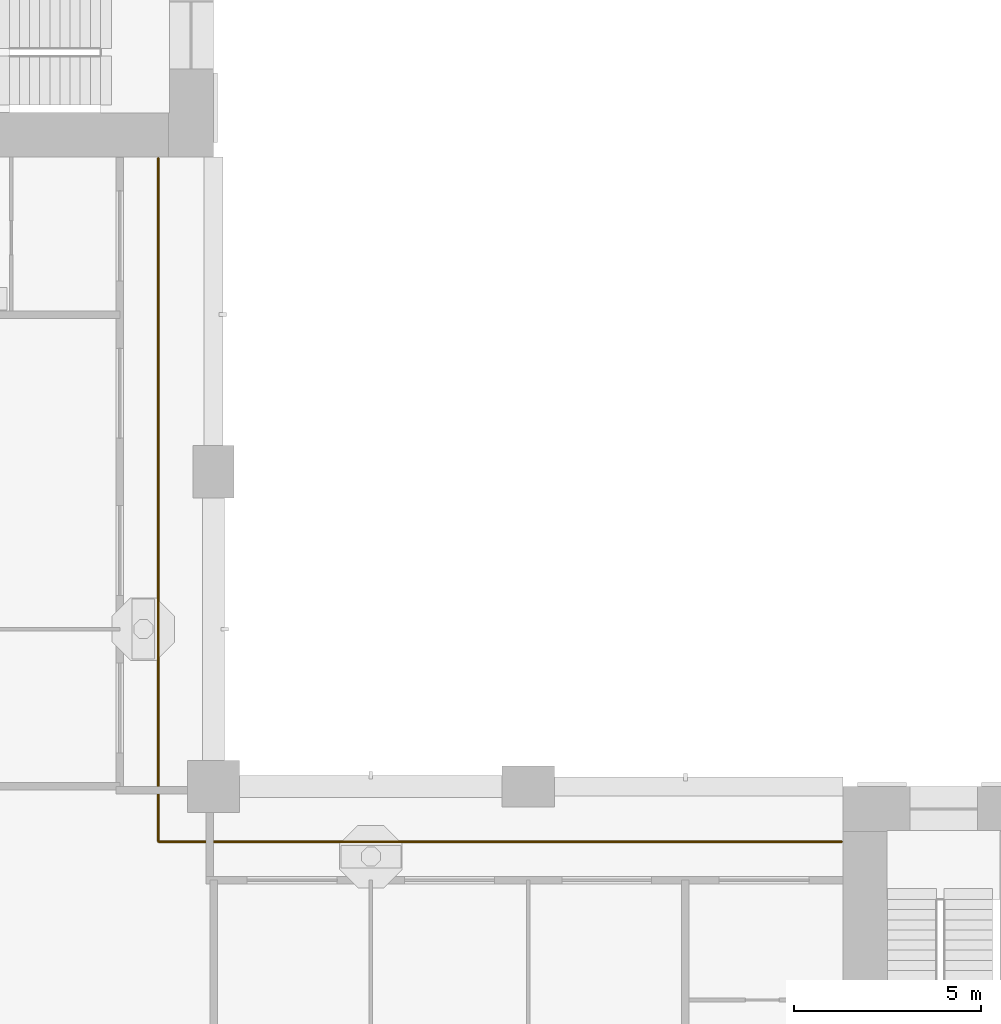
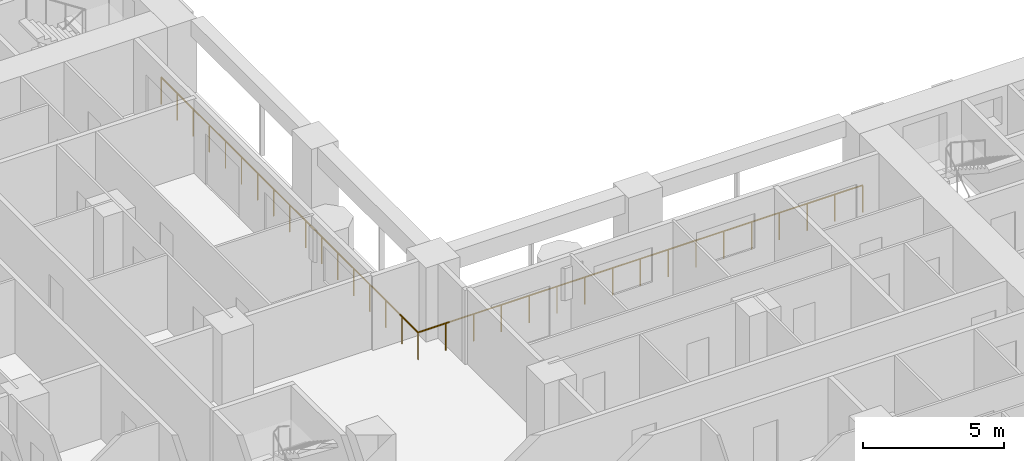
# One storey, part 16 of 20: 1 railing.
"""IFC4 building model written with IfcOpenShell, lengths in metres."""

from ifc_helpers import new_model, si_unit, direction, frame, origin, origin_2d, place, context, subcontext, project, spatial, circle, extrude, material, type_object, element, save


model = new_model("IFC4")

# Units and contexts
model_context = context("Model", 3, precision=1e-05, world=origin(), true_north=direction((0.0, 1.0)))
body_context = subcontext(model_context, "Body", "Model", "MODEL_VIEW")
ifc_project = project(units=[si_unit("LENGTHUNIT", "METRE"), si_unit("AREAUNIT", "SQUARE_METRE"), si_unit("VOLUMEUNIT", "CUBIC_METRE"), si_unit("PLANEANGLEUNIT", "RADIAN"), si_unit("MASSUNIT", "GRAM", prefix="KILO")], contexts=[model_context])

# Site, building, storey
site_placement = place(None, origin())
site = spatial("IfcSite", under=ifc_project, at=site_placement, CompositionType="ELEMENT")
building_placement = place(site_placement, origin())
building = spatial("IfcBuilding", under=site, at=building_placement, Name="Vermilion Gate Residences", CompositionType="ELEMENT")
storey_placement = place(building_placement, frame((0.0, 0.0, 35.699951171875)))
storey = spatial("IfcBuildingStorey", under=building, at=storey_placement, Name="L07", CompositionType="ELEMENT", Elevation=35.699951171875)

# Railing
ifc_material = material(Name="Stainless steel and toughened glass", Category="steel")
railing_type = type_object("IfcRailingType", Name="LOGGIA GUARD STEEL AND GLASS 1200", PredefinedType="GUARDRAIL", material=ifc_material)
railing_placement = place(storey_placement, frame((41.97802734375, 23.72509765625, 0.0)))
element("IfcRailing", 1, at=railing_placement, inside=storey, type_object=railing_type, Name="Loggia guard", PredefinedType="GUARDRAIL", context=body_context, shape_type="SweptSolid", body=[
    extrude(circle(Radius=0.030029296875, at=origin_2d()), frame((0.0, 0.0, 1.169921875), z_axis=(-1.0, 0.0, 0.0), x_axis=(0.0, -1.0, 0.0)), (0.0, 0.0, 1.0), 18.2529296875),
    extrude(circle(Radius=0.030029296875, at=origin_2d()), frame((-18.2529296875, 0.0, 1.169921875), z_axis=(0.0, 1.0, 0.0), x_axis=(-1.0, 0.0, 0.0)), (0.0, 0.0, 1.0), 18.2529296875),
    extrude(circle(Radius=0.02490234375, at=origin_2d()), origin(), (0.0, 0.0, 1.0), 1.139892578125),
    extrude(circle(Radius=0.02490234375, at=origin_2d()), frame((-1.140869140625, 0.0, 0.0)), (0.0, 0.0, 1.0), 1.139892578125),
    extrude(circle(Radius=0.02490234375, at=origin_2d()), frame((-2.28173828125, 0.0, 0.0)), (0.0, 0.0, 1.0), 1.139892578125),
    extrude(circle(Radius=0.02490234375, at=origin_2d()), frame((-3.42236328125, 0.0, 0.0)), (0.0, 0.0, 1.0), 1.139892578125),
    extrude(circle(Radius=0.02490234375, at=origin_2d()), frame((-4.563232421875, 0.0, 0.0)), (0.0, 0.0, 1.0), 1.139892578125),
    extrude(circle(Radius=0.02490234375, at=origin_2d()), frame((-5.7041015625, 0.0, 0.0)), (0.0, 0.0, 1.0), 1.139892578125),
    extrude(circle(Radius=0.02490234375, at=origin_2d()), frame((-6.8447265625, 0.0, 0.0)), (0.0, 0.0, 1.0), 1.139892578125),
    extrude(circle(Radius=0.02490234375, at=origin_2d()), frame((-7.985595703125, 0.0, 0.0)), (0.0, 0.0, 1.0), 1.139892578125),
    extrude(circle(Radius=0.02490234375, at=origin_2d()), frame((-9.12646484375, 0.0, 0.0)), (0.0, 0.0, 1.0), 1.139892578125),
    extrude(circle(Radius=0.02490234375, at=origin_2d()), frame((-10.267333984375, 0.0, 0.0)), (0.0, 0.0, 1.0), 1.139892578125),
    extrude(circle(Radius=0.02490234375, at=origin_2d()), frame((-11.408203125, 0.0, 0.0)), (0.0, 0.0, 1.0), 1.139892578125),
    extrude(circle(Radius=0.02490234375, at=origin_2d()), frame((-12.548828125, 0.0, 0.0)), (0.0, 0.0, 1.0), 1.139892578125),
    extrude(circle(Radius=0.02490234375, at=origin_2d()), frame((-13.689697265625, 0.0, 0.0)), (0.0, 0.0, 1.0), 1.139892578125),
    extrude(circle(Radius=0.02490234375, at=origin_2d()), frame((-14.83056640625, 0.0, 0.0)), (0.0, 0.0, 1.0), 1.139892578125),
    extrude(circle(Radius=0.02490234375, at=origin_2d()), frame((-15.97119140625, 0.0, 0.0)), (0.0, 0.0, 1.0), 1.139892578125),
    extrude(circle(Radius=0.02490234375, at=origin_2d()), frame((-17.112060546875, 0.0, 0.0)), (0.0, 0.0, 1.0), 1.139892578125),
    extrude(circle(Radius=0.02490234375, at=origin_2d()), frame((-18.2529296875, 0.0, 0.0)), (0.0, 0.0, 1.0), 1.139892578125),
    extrude(circle(Radius=0.02490234375, at=origin_2d()), frame((-18.2529296875, 1.140869140625, 0.0)), (0.0, 0.0, 1.0), 1.139892578125),
    extrude(circle(Radius=0.02490234375, at=origin_2d()), frame((-18.2529296875, 2.28173828125, 0.0)), (0.0, 0.0, 1.0), 1.139892578125),
    extrude(circle(Radius=0.02490234375, at=origin_2d()), frame((-18.2529296875, 3.42236328125, 0.0)), (0.0, 0.0, 1.0), 1.139892578125),
    extrude(circle(Radius=0.02490234375, at=origin_2d()), frame((-18.2529296875, 4.563232421875, 0.0)), (0.0, 0.0, 1.0), 1.139892578125),
    extrude(circle(Radius=0.02490234375, at=origin_2d()), frame((-18.2529296875, 5.7041015625, 0.0)), (0.0, 0.0, 1.0), 1.139892578125),
    extrude(circle(Radius=0.02490234375, at=origin_2d()), frame((-18.2529296875, 6.8447265625, 0.0)), (0.0, 0.0, 1.0), 1.139892578125),
    extrude(circle(Radius=0.02490234375, at=origin_2d()), frame((-18.2529296875, 7.985595703125, 0.0)), (0.0, 0.0, 1.0), 1.139892578125),
    extrude(circle(Radius=0.02490234375, at=origin_2d()), frame((-18.2529296875, 9.12646484375, 0.0)), (0.0, 0.0, 1.0), 1.139892578125),
    extrude(circle(Radius=0.02490234375, at=origin_2d()), frame((-18.2529296875, 10.267333984375, 0.0)), (0.0, 0.0, 1.0), 1.139892578125),
    extrude(circle(Radius=0.02490234375, at=origin_2d()), frame((-18.2529296875, 11.408203125, 0.0)), (0.0, 0.0, 1.0), 1.139892578125),
    extrude(circle(Radius=0.02490234375, at=origin_2d()), frame((-18.2529296875, 12.548828125, 0.0)), (0.0, 0.0, 1.0), 1.139892578125),
    extrude(circle(Radius=0.02490234375, at=origin_2d()), frame((-18.2529296875, 13.689697265625, 0.0)), (0.0, 0.0, 1.0), 1.139892578125),
    extrude(circle(Radius=0.02490234375, at=origin_2d()), frame((-18.2529296875, 14.83056640625, 0.0)), (0.0, 0.0, 1.0), 1.139892578125),
    extrude(circle(Radius=0.02490234375, at=origin_2d()), frame((-18.2529296875, 15.97119140625, 0.0)), (0.0, 0.0, 1.0), 1.139892578125),
    extrude(circle(Radius=0.02490234375, at=origin_2d()), frame((-18.2529296875, 17.112060546875, 0.0)), (0.0, 0.0, 1.0), 1.139892578125),
    extrude(circle(Radius=0.02490234375, at=origin_2d()), frame((-18.2529296875, 18.2529296875, 0.0)), (0.0, 0.0, 1.0), 1.139892578125),
])

save(model, "model.ifc")
